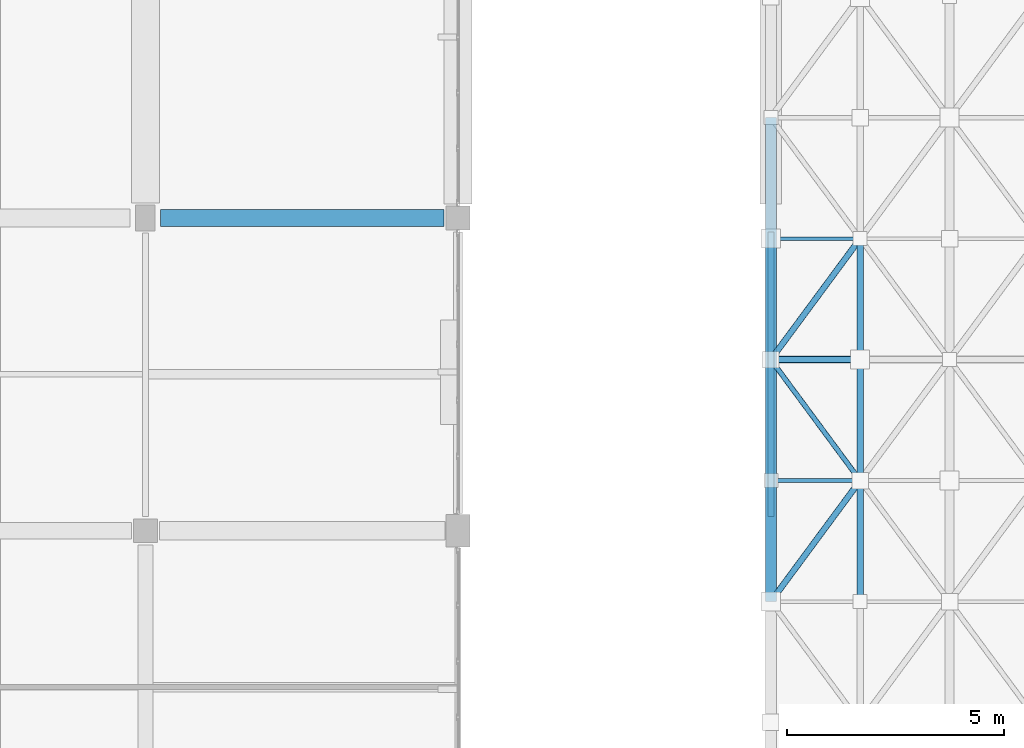
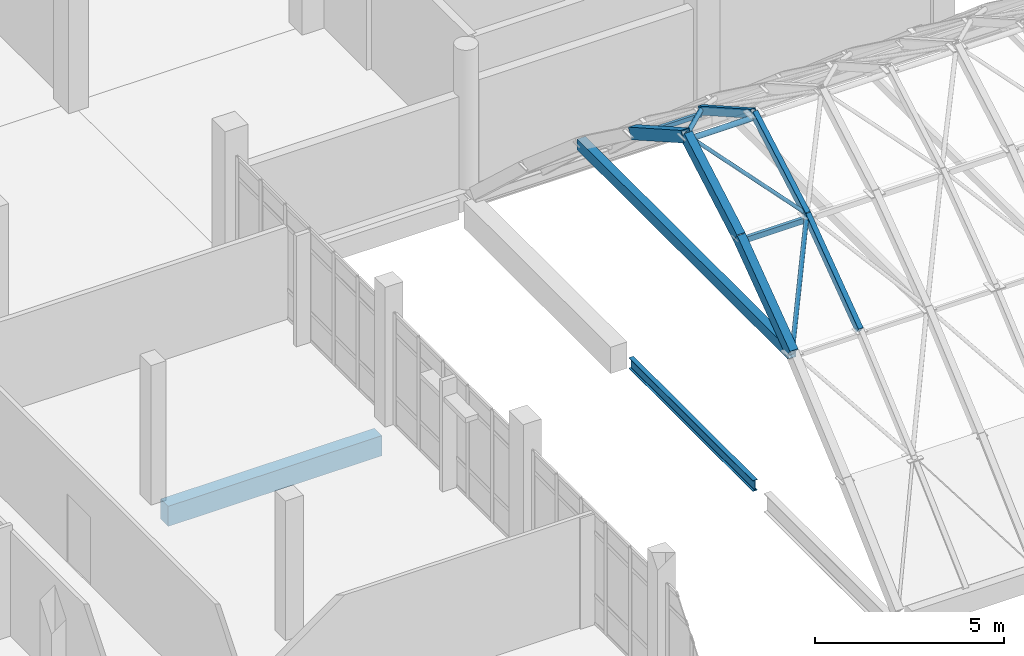
# One storey, part 30 of 87: 13 members, 2 beams.
"""IFC4 building model written with IfcOpenShell, lengths in metres."""

from ifc_helpers import new_model, si_unit, direction, frame, origin, origin_2d, place, context, subcontext, project, spatial, rectangle, hollow_rectangle, hollow_circle, i_section, extrude, material, material_profile, profile_set, type_object, element, save


model = new_model("IFC4")

# Units and contexts
model_context = context("Model", 3, precision=1e-05, world=origin(), true_north=direction((0.0, 1.0)))
body_context = subcontext(model_context, "Body", "Model", "MODEL_VIEW")
ifc_project = project(units=[si_unit("LENGTHUNIT", "METRE"), si_unit("AREAUNIT", "SQUARE_METRE"), si_unit("VOLUMEUNIT", "CUBIC_METRE"), si_unit("PLANEANGLEUNIT", "RADIAN"), si_unit("MASSUNIT", "GRAM", prefix="KILO")], contexts=[model_context])

# Site, building, storey
site_placement = place(None, origin())
site = spatial("IfcSite", under=ifc_project, at=site_placement, CompositionType="ELEMENT")
building_placement = place(site_placement, origin())
building = spatial("IfcBuilding", under=site, at=building_placement, Name="Kalluvel Institute of Natural Sciences", CompositionType="ELEMENT")
storey_placement = place(building_placement, frame((0.0, 0.0, 18.89990234375)))
storey = spatial("IfcBuildingStorey", under=building, at=storey_placement, Name="L04", CompositionType="ELEMENT", Elevation=18.89990234375)

# Beams
ifc_material_1 = material(Name="Steel E350 Grade 350", Category="steel")
ifc_material_profile_1 = material_profile(ifc_material_1, i_section(OverallWidth=0.139892578125, OverallDepth=0.35009765625, WebThickness=0.008056640625, FlangeThickness=0.01416015625, FilletRadius=0.013916015625, at=origin_2d()), Name="ISMB 350")
ifc_profile_set_1 = profile_set([ifc_material_profile_1], Name="Steel E350 Grade 350")
beam_type_1 = type_object("IfcBeamType", Name="BM-ISMB350", PredefinedType="BEAM", material=ifc_profile_set_1)
beam_1_placement = place(storey_placement, frame((42.800048828125, 79.125, -0.494873046875), z_axis=(0.0, 1.0, 0.0), x_axis=(-1.0, 0.0, 0.0)))
element("IfcBeam", 1, at=beam_1_placement, inside=storey, type_object=beam_type_1, Name="L04 girder GIR-L04-NS-X428-Y788", PredefinedType="BEAM", context=body_context, shape_type="SweptSolid", body=[
    extrude(i_section(OverallWidth=0.139892578125, OverallDepth=0.35009765625, WebThickness=0.008056640625, FlangeThickness=0.01416015625, FilletRadius=0.013916015625, at=origin_2d()), origin(), (0.0, 0.0, 1.0), 6.550048828125),
])
ifc_material_2 = material(Name="Concrete M40", Category="concrete")
ifc_material_profile_2 = material_profile(ifc_material_2, rectangle(XDim=0.39990234375, YDim=0.64990234375, at=origin_2d()), Name="RCB 400x650")
ifc_profile_set_2 = profile_set([ifc_material_profile_2], Name="Concrete M40")
beam_type_2 = type_object("IfcBeamType", Name="BM-RC400x650", PredefinedType="BEAM", material=ifc_profile_set_2)
beam_2_placement = place(storey_placement, frame((28.75, 86.0, -0.625), z_axis=(1.0, 0.0, 0.0), x_axis=(0.0, 1.0, 0.0)))
element("IfcBeam", 2, at=beam_2_placement, inside=storey, type_object=beam_type_2, Name="L04 girder GIR-L04-EW-X284-Y860", PredefinedType="BEAM", context=body_context, shape_type="SweptSolid", body=[
    extrude(rectangle(XDim=0.39990234375, YDim=0.64990234375, at=origin_2d()), origin(), (0.0, 0.0, 1.0), 6.52490234375),
])

# Members
ifc_material_profile_3 = material_profile(ifc_material_1, hollow_rectangle(XDim=0.25, YDim=0.35009765625, WallThickness=0.012451171875, at=origin_2d()), Name="RHS 350x250x12")
ifc_profile_set_3 = profile_set([ifc_material_profile_3], Name="Steel E350 Grade 350")
member_type_1 = type_object("IfcMemberType", Name="MB-ARCH-RHS350", PredefinedType="CHORD", material=ifc_profile_set_3)
member_1_placement = place(storey_placement, frame((42.800048828125, 77.169921875, 4.976806640625), z_axis=(0.0, 1.0, 0.0), x_axis=(-1.0, 0.0, 0.0)))
element("IfcMember", 3, at=member_1_placement, inside=storey, type_object=member_type_1, Name="Atrium gridshell Gothic collar tie chord 1", PredefinedType="CHORD", context=body_context, shape_type="SweptSolid", body=[
    extrude(hollow_rectangle(XDim=0.25, YDim=0.35009765625, WallThickness=0.012451171875, at=origin_2d()), origin(), (0.0, 0.0, 1.0), 11.14013671875),
])
ifc_material_profile_4 = material_profile(ifc_material_1, hollow_rectangle(XDim=0.14990234375, YDim=0.25, WallThickness=0.010009765625, at=origin_2d()), Name="RHS 250x150x10")
ifc_profile_set_4 = profile_set([ifc_material_profile_4], Name="Steel E350 Grade 350")
member_type_2 = type_object("IfcMemberType", Name="MB-ARCH-SEG250", PredefinedType="USERDEFINED", material=ifc_profile_set_4)
member_2_placement = place(storey_placement, frame((44.857177734375, 77.169921875, 4.976806640625), z_axis=(0.0, 0.806535340499, 0.591185879843), x_axis=(-1.0, 0.0, 0.0)))
element("IfcMember", 4, at=member_2_placement, inside=storey, type_object=member_type_2, Name="Atrium gridshell pointed arch segment 11", ObjectType="ARCH_SEGMENT", PredefinedType="USERDEFINED", context=body_context, shape_type="SweptSolid", body=[
    extrude(hollow_rectangle(XDim=0.14990234375, YDim=0.25, WallThickness=0.010009765625, at=origin_2d()), origin(), (0.0, 0.0, 1.0), 3.453125),
])
for number, where, z_axis, x_axis, name in (
    (5, (44.857177734375, 79.955078125, 7.018310546875), (0.0, 0.869530215722, 0.493879746442), (-1.0, 0.0, 0.0), "Atrium gridshell pointed arch segment 12"),
    (6, (44.857177734375, 82.739990234375, 8.60009765625), (0.0, 0.869530215722, -0.493879746442), (-1.0, 0.0, 0.0), "Atrium gridshell pointed arch segment 13"),
):
    element("IfcMember", number, at=place(storey_placement, frame(where, z_axis=z_axis, x_axis=x_axis)), inside=storey, type_object=member_type_2, Name=name, ObjectType="ARCH_SEGMENT", PredefinedType="USERDEFINED", context=body_context, shape_type="SweptSolid", body=[
        extrude(hollow_rectangle(XDim=0.14990234375, YDim=0.25, WallThickness=0.010009765625, at=origin_2d()), origin(), (0.0, 0.0, 1.0), 3.202880859375),
    ])
ifc_material_profile_5 = material_profile(ifc_material_1, hollow_rectangle(XDim=0.25, YDim=0.35009765625, WallThickness=0.012451171875, at=origin_2d()), Name="RHS 350x250x12")
ifc_profile_set_5 = profile_set([ifc_material_profile_5], Name="Steel E350 Grade 350")
member_type_3 = type_object("IfcMemberType", Name="MB-ARCH-SEG350", PredefinedType="USERDEFINED", material=ifc_profile_set_5)
member_3_placement = place(storey_placement, frame((42.800048828125, 77.169921875, 4.976806640625), z_axis=(0.0, 0.806535340499, 0.591185879843), x_axis=(-1.0, 0.0, 0.0)))
element("IfcMember", 7, at=member_3_placement, inside=storey, type_object=member_type_3, Name="Atrium gridshell pointed arch segment 3", ObjectType="ARCH_SEGMENT", PredefinedType="USERDEFINED", context=body_context, shape_type="SweptSolid", body=[
    extrude(hollow_rectangle(XDim=0.25, YDim=0.35009765625, WallThickness=0.012451171875, at=origin_2d()), origin(), (0.0, 0.0, 1.0), 3.453125),
])
for number, where, z_axis, x_axis, name in (
    (8, (42.800048828125, 79.955078125, 7.018310546875), (0.0, 0.869530215722, 0.493879746442), (-1.0, 0.0, 0.0), "Atrium gridshell pointed arch segment 4"),
    (9, (42.800048828125, 82.739990234375, 8.60009765625), (0.0, 0.869530215722, -0.493879746442), (-1.0, 0.0, 0.0), "Atrium gridshell pointed arch segment 5"),
):
    element("IfcMember", number, at=place(storey_placement, frame(where, z_axis=z_axis, x_axis=x_axis)), inside=storey, type_object=member_type_3, Name=name, ObjectType="ARCH_SEGMENT", PredefinedType="USERDEFINED", context=body_context, shape_type="SweptSolid", body=[
        extrude(hollow_rectangle(XDim=0.25, YDim=0.35009765625, WallThickness=0.012451171875, at=origin_2d()), origin(), (0.0, 0.0, 1.0), 3.202880859375),
    ])
ifc_material_profile_6 = material_profile(ifc_material_1, hollow_circle(Radius=0.05712890625, WallThickness=0.006103515625, at=origin_2d()), Name="CHS 114.3x6.0")
ifc_profile_set_6 = profile_set([ifc_material_profile_6], Name="Steel E350 Grade 350")
member_type_4 = type_object("IfcMemberType", Name="MB-BR-CHS114", PredefinedType="BRACE", material=ifc_profile_set_6)
member_4_placement = place(storey_placement, frame((44.857177734375, 79.955078125, 7.038330078125), z_axis=(-0.540423006608, 0.731617046805, 0.415547194376), x_axis=(-0.804353425168, -0.594151131802, 0.0)))
element("IfcMember", 10, at=member_4_placement, inside=storey, type_object=member_type_4, Name="Atrium gridshell diagonal brace 4", PredefinedType="BRACE", context=body_context, shape_type="SweptSolid", body=[
    extrude(hollow_circle(Radius=0.05712890625, WallThickness=0.006103515625, at=origin_2d()), origin(), (0.0, 0.0, 1.0), 3.806396484375),
])
ifc_material_profile_7 = material_profile(ifc_material_1, hollow_circle(Radius=0.06982421875, WallThickness=0.008056640625, at=origin_2d()), Name="CHS 139.7x8.0")
ifc_profile_set_7 = profile_set([ifc_material_profile_7], Name="Steel E350 Grade 350")
member_type_5 = type_object("IfcMemberType", Name="MB-BR-CHS139", PredefinedType="BRACE", material=ifc_profile_set_7)
member_5_placement = place(storey_placement, frame((42.800048828125, 77.169921875, 4.996826171875), z_axis=(0.51178357928, 0.692906132498, 0.507896307849), x_axis=(-0.804378315597, 0.594117434013, 0.0)))
element("IfcMember", 11, at=member_5_placement, inside=storey, type_object=member_type_5, Name="Atrium gridshell diagonal brace 3", PredefinedType="BRACE", context=body_context, shape_type="SweptSolid", body=[
    extrude(hollow_circle(Radius=0.06982421875, WallThickness=0.008056640625, at=origin_2d()), origin(), (0.0, 0.0, 1.0), 4.01953125),
])
member_6_placement = place(storey_placement, frame((42.800048828125, 82.739990234375, 8.6201171875), z_axis=(0.540423006608, 0.731617046805, -0.415547194376), x_axis=(-0.804353425168, 0.594151131802, 0.0)))
element("IfcMember", 12, at=member_6_placement, inside=storey, type_object=member_type_5, Name="Atrium gridshell diagonal brace 5", PredefinedType="BRACE", context=body_context, shape_type="SweptSolid", body=[
    extrude(hollow_circle(Radius=0.06982421875, WallThickness=0.008056640625, at=origin_2d()), origin(), (0.0, 0.0, 1.0), 3.806396484375),
])
ifc_material_profile_8 = material_profile(ifc_material_1, hollow_circle(Radius=0.084228515625, WallThickness=0.010009765625, at=origin_2d()), Name="CHS 168.3x10.0")
ifc_profile_set_8 = profile_set([ifc_material_profile_8], Name="Steel E350 Grade 350")
member_type_6 = type_object("IfcMemberType", Name="MB-PURL-CHS168", PredefinedType="PURLIN", material=ifc_profile_set_8)
member_7_placement = place(storey_placement, frame((42.800048828125, 82.739990234375, 8.460205078125), z_axis=(1.0, 0.0, 0.0), x_axis=(0.0, 1.0, 0.0)))
element("IfcMember", 13, at=member_7_placement, inside=storey, type_object=member_type_6, Name="Atrium gridshell longitudinal purlin 4", PredefinedType="PURLIN", context=body_context, shape_type="SweptSolid", body=[
    extrude(hollow_circle(Radius=0.084228515625, WallThickness=0.010009765625, at=origin_2d()), origin(), (0.0, 0.0, 1.0), 2.05712890625),
])
ifc_material_profile_9 = material_profile(ifc_material_1, hollow_rectangle(XDim=0.080078125, YDim=0.139892578125, WallThickness=0.006103515625, at=origin_2d()), Name="RHS 140x80x6")
ifc_profile_set_9 = profile_set([ifc_material_profile_9], Name="Steel E350 Grade 350")
member_type_7 = type_object("IfcMemberType", Name="MB-PURL-RHS140", PredefinedType="PURLIN", material=ifc_profile_set_9)
member_8_placement = place(storey_placement, frame((42.800048828125, 85.52490234375, 6.87841796875), z_axis=(1.0, 0.0, 0.0), x_axis=(0.0, 1.0, 0.0)))
element("IfcMember", 14, at=member_8_placement, inside=storey, type_object=member_type_7, Name="Atrium gridshell longitudinal purlin 5", PredefinedType="PURLIN", context=body_context, shape_type="SweptSolid", body=[
    extrude(hollow_rectangle(XDim=0.080078125, YDim=0.139892578125, WallThickness=0.006103515625, at=origin_2d()), origin(), (0.0, 0.0, 1.0), 2.05712890625),
])
ifc_material_profile_10 = material_profile(ifc_material_1, hollow_rectangle(XDim=0.10009765625, YDim=0.179931640625, WallThickness=0.008056640625, at=origin_2d()), Name="RHS 180x100x8")
ifc_profile_set_10 = profile_set([ifc_material_profile_10], Name="Steel E350 Grade 350")
member_type_8 = type_object("IfcMemberType", Name="MB-PURL-RHS180", PredefinedType="PURLIN", material=ifc_profile_set_10)
member_9_placement = place(storey_placement, frame((42.800048828125, 79.955078125, 6.87841796875), z_axis=(1.0, 0.0, 0.0), x_axis=(0.0, 1.0, 0.0)))
element("IfcMember", 15, at=member_9_placement, inside=storey, type_object=member_type_8, Name="Atrium gridshell longitudinal purlin 3", PredefinedType="PURLIN", context=body_context, shape_type="SweptSolid", body=[
    extrude(hollow_rectangle(XDim=0.10009765625, YDim=0.179931640625, WallThickness=0.008056640625, at=origin_2d()), origin(), (0.0, 0.0, 1.0), 2.05712890625),
])

save(model, "model.ifc")
